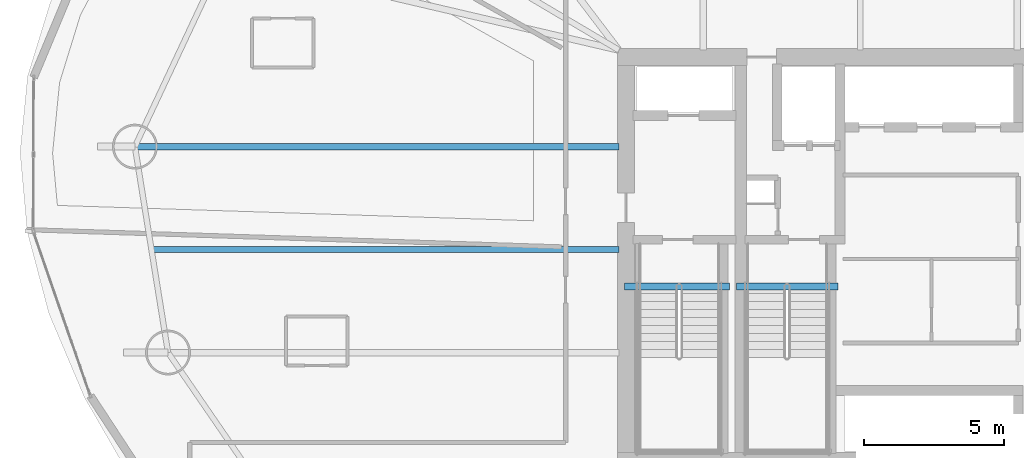
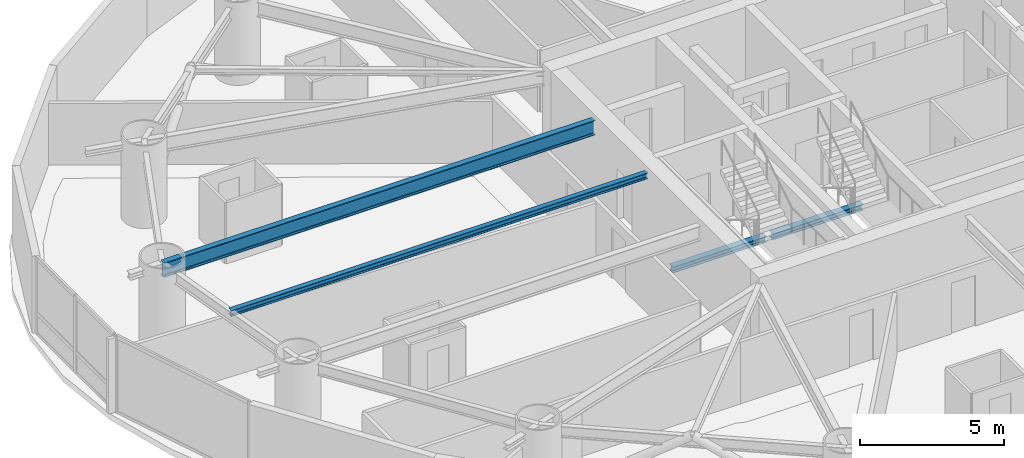
# One storey, part 7 of 27: 4 beams.
"""IFC4 building model written with IfcOpenShell, lengths in metres."""

from ifc_helpers import new_model, si_unit, direction, frame, origin, origin_2d, place, context, subcontext, project, spatial, i_section, extrude, material, material_profile, profile_set, type_object, element, save


model = new_model("IFC4")

# Units and contexts
model_context = context("Model", 3, precision=1e-05, world=origin(), true_north=direction((0.0, 1.0)))
body_context = subcontext(model_context, "Body", "Model", "MODEL_VIEW")
ifc_project = project(units=[si_unit("LENGTHUNIT", "METRE"), si_unit("AREAUNIT", "SQUARE_METRE"), si_unit("VOLUMEUNIT", "CUBIC_METRE"), si_unit("PLANEANGLEUNIT", "RADIAN"), si_unit("MASSUNIT", "GRAM", prefix="KILO")], contexts=[model_context])

# Site, building, storey
site_placement = place(None, origin())
site = spatial("IfcSite", under=ifc_project, at=site_placement, CompositionType="ELEMENT")
building_placement = place(site_placement, origin())
building = spatial("IfcBuilding", under=site, at=building_placement, Name="Bramvorn Convention Spire", CompositionType="ELEMENT")
storey_placement = place(building_placement, frame((0.0, 0.0, 79.89990234375)))
storey = spatial("IfcBuildingStorey", under=building, at=storey_placement, Name="L18", CompositionType="ELEMENT", Elevation=79.89990234375)

# Beams
ifc_material = material(Name="Steel CSA G40.21 Grade 350 (350W)", Category="steel")
ifc_material_profile_1 = material_profile(ifc_material, i_section(OverallWidth=0.201904296875, OverallDepth=0.2470703125, WebThickness=0.00732421875, FlangeThickness=0.010986328125, FilletRadius=0.011962890625, at=origin_2d()))
ifc_profile_set_1 = profile_set([ifc_material_profile_1], Name="Steel CSA G40.21 Grade 350 (350W) - W250X49")
beam_type_1 = type_object("IfcBeamType", Name="BM-W250X49", PredefinedType="JOIST", material=ifc_profile_set_1)
beam_1_placement = place(storey_placement, frame((26.75, 26.333984375, 3.126708984375), z_axis=(-1.0, 0.0, 0.0), x_axis=(0.0, -1.0, 0.0)))
element("IfcBeam", 1, at=beam_1_placement, inside=storey, type_object=beam_type_1, Name="L18 composite floor joist 09", PredefinedType="JOIST", context=body_context, shape_type="SweptSolid", body=[
    extrude(i_section(OverallWidth=0.201904296875, OverallDepth=0.2470703125, WebThickness=0.00732421875, FlangeThickness=0.010986328125, FilletRadius=0.011962890625, at=origin_2d()), origin(), (0.0, 0.0, 1.0), 16.67919921875),
])
ifc_material_profile_2 = material_profile(ifc_material, i_section(OverallWidth=0.25390625, OverallDepth=0.2529296875, WebThickness=0.008544921875, FlangeThickness=0.01416015625, FilletRadius=0.011962890625, at=origin_2d()))
ifc_profile_set_2 = profile_set([ifc_material_profile_2], Name="Steel CSA G40.21 Grade 350 (350W) - W250X73")
beam_type_2 = type_object("IfcBeamType", Name="BM-W250X73", PredefinedType="BEAM", material=ifc_profile_set_2)
beam_2_placement = place(storey_placement, frame((26.949951171875, 25.010009765625, -0.12646484375), z_axis=(1.0, 0.0, 0.0), x_axis=(0.0, 1.0, 0.0)))
element("IfcBeam", 2, at=beam_2_placement, inside=storey, type_object=beam_type_2, Name="L18 ST1 stair arrival header beam", PredefinedType="BEAM", context=body_context, shape_type="SweptSolid", body=[
    extrude(i_section(OverallWidth=0.25390625, OverallDepth=0.2529296875, WebThickness=0.008544921875, FlangeThickness=0.01416015625, FilletRadius=0.011962890625, at=origin_2d()), origin(), (0.0, 0.0, 1.0), 3.739990234375),
])
beam_3_placement = place(storey_placement, frame((30.949951171875, 25.010009765625, -0.12646484375), z_axis=(1.0, 0.0, 0.0), x_axis=(0.0, 1.0, 0.0)))
element("IfcBeam", 3, at=beam_3_placement, inside=storey, type_object=beam_type_2, Name="L18 ST3 stair arrival header beam", PredefinedType="BEAM", context=body_context, shape_type="SweptSolid", body=[
    extrude(i_section(OverallWidth=0.25390625, OverallDepth=0.2529296875, WebThickness=0.008544921875, FlangeThickness=0.01416015625, FilletRadius=0.011962890625, at=origin_2d()), origin(), (0.0, 0.0, 1.0), 3.610107421875),
])
ifc_material_profile_3 = material_profile(ifc_material, i_section(OverallWidth=0.22998046875, OverallDepth=0.616943359375, WebThickness=0.01318359375, FlangeThickness=0.022216796875, FilletRadius=0.02001953125, at=origin_2d()))
ifc_profile_set_3 = profile_set([ifc_material_profile_3], Name="Steel CSA G40.21 Grade 350 (350W) - W610X140")
beam_type_3 = type_object("IfcBeamType", Name="BM-W610X140", PredefinedType="BEAM", material=ifc_profile_set_3)
beam_4_placement = place(storey_placement, frame((26.75, 30.00830078125, 2.941650390625), z_axis=(-1.0, 0.0, 0.0), x_axis=(0.0, -1.0, 0.0)))
element("IfcBeam", 4, at=beam_4_placement, inside=storey, type_object=beam_type_3, Name="L18 radial floor girder MC09", PredefinedType="BEAM", context=body_context, shape_type="SweptSolid", body=[
    extrude(i_section(OverallWidth=0.22998046875, OverallDepth=0.616943359375, WebThickness=0.01318359375, FlangeThickness=0.022216796875, FilletRadius=0.02001953125, at=origin_2d()), origin(), (0.0, 0.0, 1.0), 17.269775390625),
])

save(model, "model.ifc")
